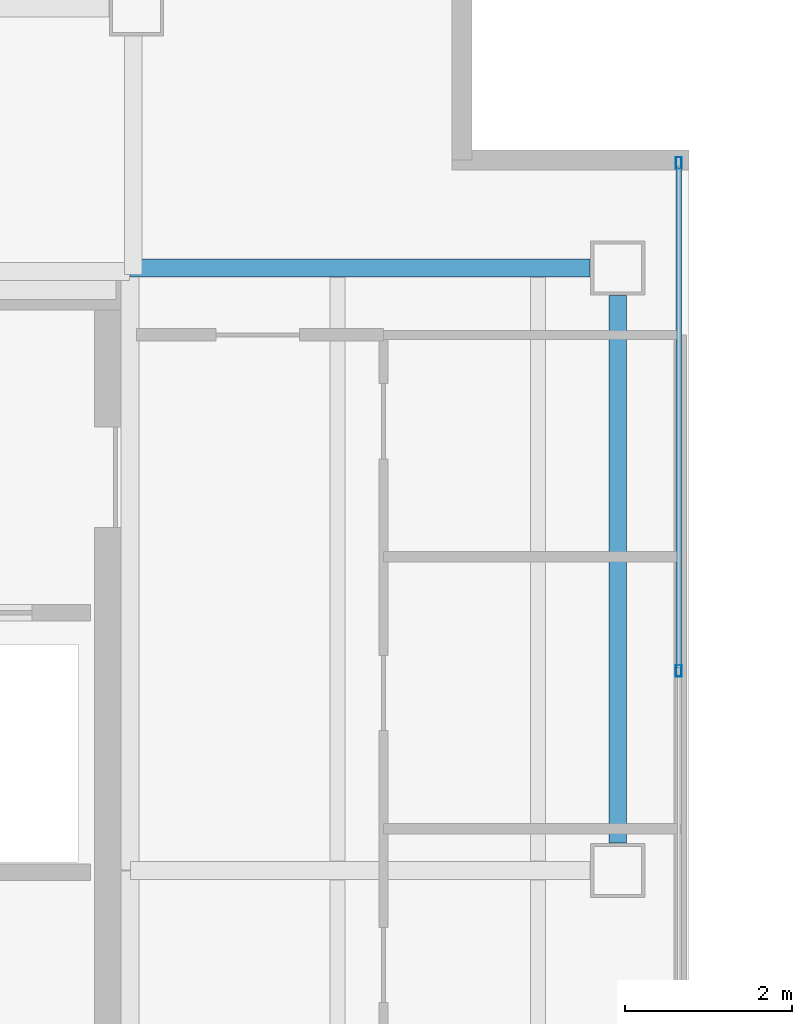
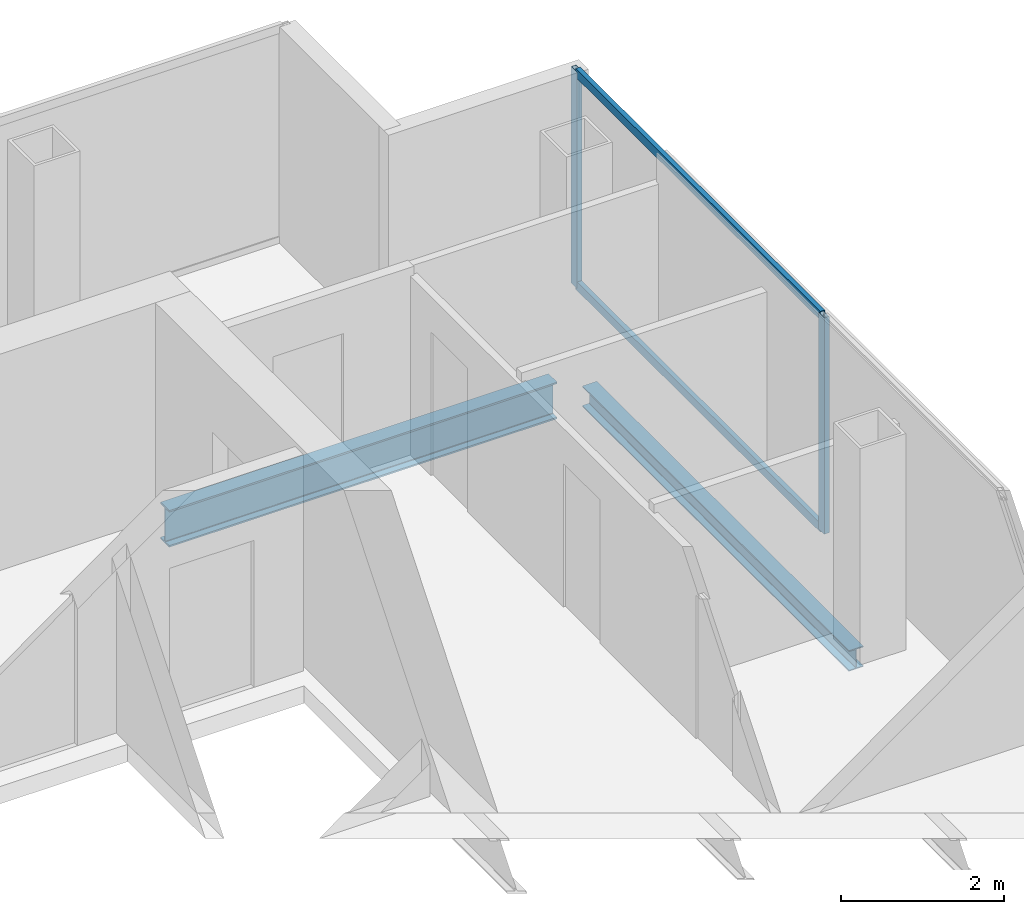
# One storey, part 11 of 23: 4 members, 2 beams, 1 element without a shape of its own.
"""IFC4 building model written with IfcOpenShell, lengths in metres."""

from ifc_helpers import new_model, si_unit, direction, frame, origin, origin_2d, place, context, subcontext, project, spatial, hollow_rectangle, i_section, extrude, material, material_profile, profile_set, type_object, element, aggregate, save


model = new_model("IFC4")

# Units and contexts
model_context = context("Model", 3, precision=1e-05, world=origin(), true_north=direction((0.0, 1.0)))
body_context = subcontext(model_context, "Body", "Model", "MODEL_VIEW")
ifc_project = project(units=[si_unit("LENGTHUNIT", "METRE"), si_unit("AREAUNIT", "SQUARE_METRE"), si_unit("VOLUMEUNIT", "CUBIC_METRE"), si_unit("PLANEANGLEUNIT", "RADIAN"), si_unit("MASSUNIT", "GRAM", prefix="KILO")], contexts=[model_context])

# Site, building, storey
site_placement = place(None, origin())
site = spatial("IfcSite", under=ifc_project, at=site_placement, CompositionType="ELEMENT")
building_placement = place(site_placement, origin())
building = spatial("IfcBuilding", under=site, at=building_placement, Name="Cobrela Telecom Tower", CompositionType="ELEMENT")
storey_placement = place(building_placement, frame((0.0, 0.0, 262.14990234375)))
storey = spatial("IfcBuildingStorey", under=building, at=storey_placement, Name="L68", CompositionType="ELEMENT", Elevation=262.14990234375)

# Beams
ifc_material_1 = material(Name="Steel ASTM A992 Grade 50", Category="steel")
ifc_material_profile_1 = material_profile(ifc_material_1, i_section(OverallWidth=0.212890625, OverallDepth=0.549072265625, WebThickness=0.0146484375, FlangeThickness=0.023681640625, FilletRadius=0.013916015625, at=origin_2d()), Name="W21X93")
ifc_profile_set_1 = profile_set([ifc_material_profile_1], Name="Steel ASTM A992 Grade 50")
beam_type_1 = type_object("IfcBeamType", Name="BM-GIRD-08", PredefinedType="USERDEFINED", material=ifc_profile_set_1)
beam_1_placement = place(storey_placement, frame((14.324951171875, 36.0, -0.534423828125), z_axis=(1.0, 0.0, 0.0), x_axis=(0.0, 1.0, 0.0)))
element("IfcBeam", 1, at=beam_1_placement, inside=storey, type_object=beam_type_1, Name="L68 Primary Girder X18", ObjectType="GIRDER", PredefinedType="USERDEFINED", context=body_context, shape_type="SweptSolid", body=[
    extrude(i_section(OverallWidth=0.212890625, OverallDepth=0.549072265625, WebThickness=0.0146484375, FlangeThickness=0.023681640625, FilletRadius=0.013916015625, at=origin_2d()), origin(), (0.0, 0.0, 1.0), 5.4951171875),
])
ifc_material_profile_2 = material_profile(ifc_material_1, i_section(OverallWidth=0.205078125, OverallDepth=0.31005859375, WebThickness=0.009521484375, FlangeThickness=0.016357421875, FilletRadius=0.010986328125, at=origin_2d()), Name="W12X50")
ifc_profile_set_2 = profile_set([ifc_material_profile_2], Name="Steel ASTM A992 Grade 50")
beam_type_2 = type_object("IfcBeamType", Name="BM-SPAND-07", PredefinedType="SPANDREL", material=ifc_profile_set_2)
beam_2_placement = place(storey_placement, frame((20.14990234375, 29.1298828125, -0.414794921875), z_axis=(0.0, 1.0, 0.0), x_axis=(-1.0, 0.0, 0.0)))
element("IfcBeam", 2, at=beam_2_placement, inside=storey, type_object=beam_type_2, Name="L68 Perimeter Spandrel Y26", PredefinedType="SPANDREL", context=body_context, shape_type="SweptSolid", body=[
    extrude(i_section(OverallWidth=0.205078125, OverallDepth=0.31005859375, WebThickness=0.009521484375, FlangeThickness=0.016357421875, FilletRadius=0.010986328125, at=origin_2d()), origin(), (0.0, 0.0, 1.0), 6.5400390625),
])

# Curtain wall, members
ifc_material_2 = material(Name="Anodized Bronze Aluminium 6063-T6", Category="aluminium")
curtain_wall_type = type_object("IfcCurtainWallType", Name="CW-SYS-OFF-HI", PredefinedType="USERDEFINED", material=ifc_material_2)
curtain_wall_placement = place(storey_placement, origin())
curtain_wall = element("IfcCurtainWall", 3, at=curtain_wall_placement, inside=storey, type_object=curtain_wall_type, Name="L68 Unitised Bronze Curtain Wall 08", ObjectType="UNITISED CURTAIN WALL", PredefinedType="USERDEFINED")
ifc_material_profile_3 = material_profile(ifc_material_2, hollow_rectangle(XDim=0.070068359375, YDim=0.139892578125, WallThickness=0.00390625, at=origin_2d()), Name="ALU 70x140x4")
ifc_profile_set_3 = profile_set([ifc_material_profile_3], Name="Anodized Bronze Aluminium 6063-T6")
member_type_1 = type_object("IfcMemberType", Name="CW-SYS-OFF-HI-MUL", PredefinedType="MULLION", material=ifc_profile_set_3)
member_1_placement = place(storey_placement, frame((20.8798828125, 37.2548828125, 0.0), z_axis=(0.0, 0.0, 1.0), x_axis=(1.0, 0.0, 0.0)))
member_1 = element("IfcMember", 4, at=member_1_placement, type_object=member_type_1, Name="CW-OFF-HI mullion 1", PredefinedType="MULLION", context=body_context, shape_type="SweptSolid", body=[
    extrude(hollow_rectangle(XDim=0.070068359375, YDim=0.139892578125, WallThickness=0.00390625, at=origin_2d()), origin(), (0.0, 0.0, 1.0), 3.239990234375),
])
member_2_placement = place(storey_placement, frame((20.8798828125, 31.18505859375, 0.0), z_axis=(0.0, 0.0, 1.0), x_axis=(1.0, 0.0, 0.0)))
member_2 = element("IfcMember", 5, at=member_2_placement, type_object=member_type_1, Name="CW-OFF-HI mullion 2", PredefinedType="MULLION", context=body_context, shape_type="SweptSolid", body=[
    extrude(hollow_rectangle(XDim=0.070068359375, YDim=0.139892578125, WallThickness=0.00390625, at=origin_2d()), origin(), (0.0, 0.0, 1.0), 3.239990234375),
])
ifc_material_profile_4 = material_profile(ifc_material_2, hollow_rectangle(XDim=0.06494140625, YDim=0.1298828125, WallThickness=0.00390625, at=origin_2d()), Name="ALU 65x130x4")
ifc_profile_set_4 = profile_set([ifc_material_profile_4], Name="Anodized Bronze Aluminium 6063-T6")
member_type_2 = type_object("IfcMemberType", Name="CW-SYS-OFF-HI-TRN", PredefinedType="USERDEFINED", material=ifc_profile_set_4)
member_3_placement = place(storey_placement, frame((20.8798828125, 37.219970703125, 0.03271484375), z_axis=(0.0, -1.0, 0.0), x_axis=(1.0, 0.0, 0.0)))
member_3 = element("IfcMember", 6, at=member_3_placement, type_object=member_type_2, Name="CW-OFF-HI transom 1.1", ObjectType="TRANSOM", PredefinedType="USERDEFINED", context=body_context, shape_type="SweptSolid", body=[
    extrude(hollow_rectangle(XDim=0.06494140625, YDim=0.1298828125, WallThickness=0.00390625, at=origin_2d()), origin(), (0.0, 0.0, 1.0), 6.0),
])
member_4_placement = place(storey_placement, frame((20.8798828125, 37.219970703125, 3.20751953125), z_axis=(0.0, -1.0, 0.0), x_axis=(1.0, 0.0, 0.0)))
member_4 = element("IfcMember", 7, at=member_4_placement, type_object=member_type_2, Name="CW-OFF-HI transom 1.2", ObjectType="TRANSOM", PredefinedType="USERDEFINED", context=body_context, shape_type="SweptSolid", body=[
    extrude(hollow_rectangle(XDim=0.06494140625, YDim=0.1298828125, WallThickness=0.00390625, at=origin_2d()), origin(), (0.0, 0.0, 1.0), 6.0),
])
aggregate(curtain_wall, [member_1, member_2, member_3, member_4])

save(model, "model.ifc")
